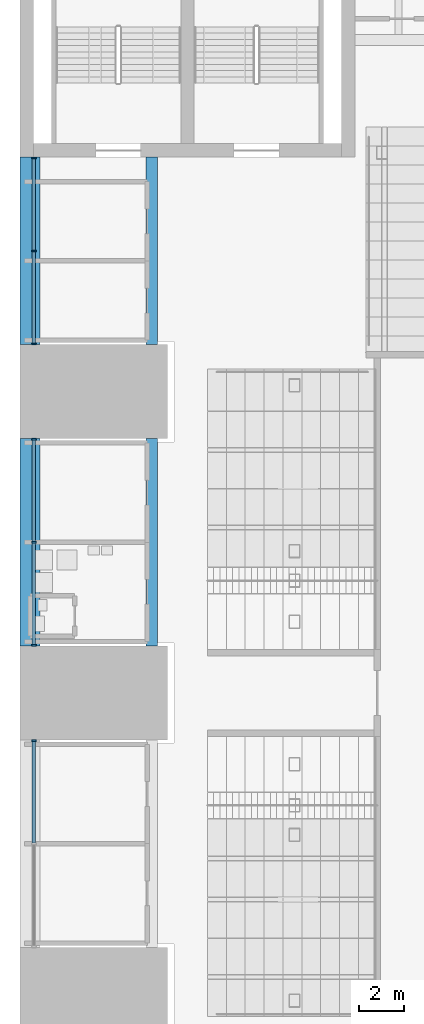
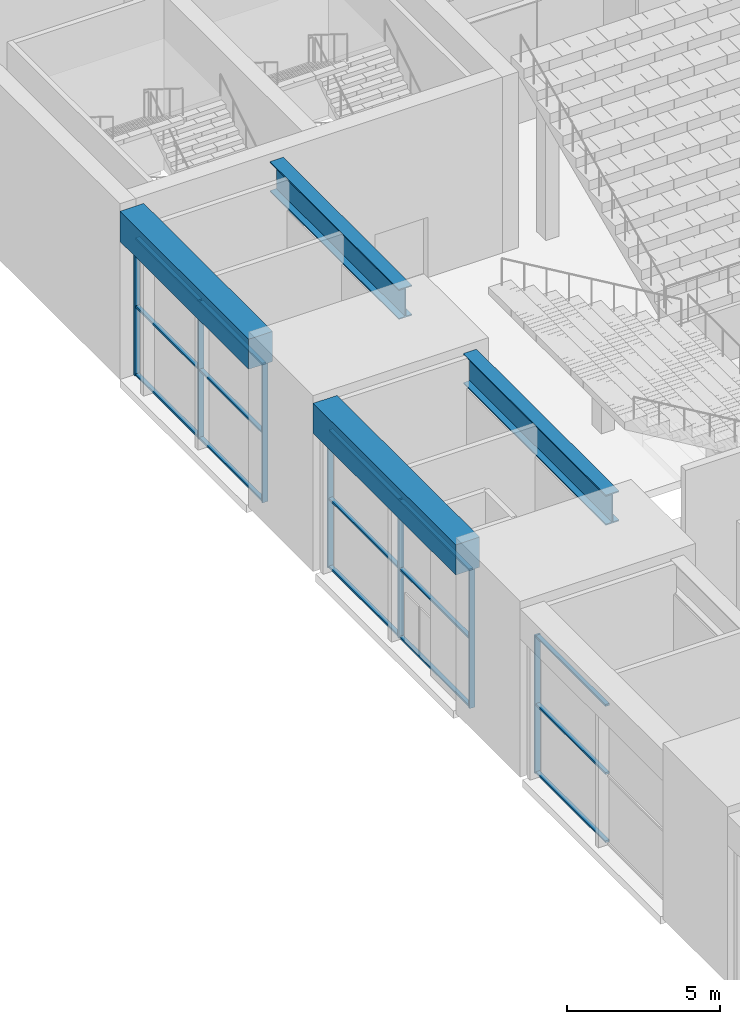
# One storey, part 7 of 62: 22 members, 4 beams, 3 elements without a shape of their own.
"""IFC4 building model written with IfcOpenShell, lengths in metres."""

from ifc_helpers import new_model, si_unit, direction, frame, origin, origin_2d, place, context, subcontext, project, spatial, rectangle, i_section, extrude, material, layer, layer_set, material_profile, profile_set, type_object, element, aggregate, save


model = new_model("IFC4")

# Units and contexts
model_context = context("Model", 3, precision=1e-05, world=origin(), true_north=direction((0.0, 1.0)))
body_context = subcontext(model_context, "Body", "Model", "MODEL_VIEW")
ifc_project = project(units=[si_unit("LENGTHUNIT", "METRE"), si_unit("AREAUNIT", "SQUARE_METRE"), si_unit("VOLUMEUNIT", "CUBIC_METRE"), si_unit("PLANEANGLEUNIT", "RADIAN"), si_unit("MASSUNIT", "GRAM", prefix="KILO")], contexts=[model_context])

# Site, building, storey
site_placement = place(None, origin())
site = spatial("IfcSite", under=ifc_project, at=site_placement, CompositionType="ELEMENT")
building_placement = place(site_placement, origin())
building = spatial("IfcBuilding", under=site, at=building_placement, Name="Corbelhall Arena Tower", CompositionType="ELEMENT")
storey_placement = place(building_placement, frame((0.0, 0.0, 12.0)))
storey = spatial("IfcBuildingStorey", under=building, at=storey_placement, Name="L01", CompositionType="ELEMENT", Elevation=12.0)

# Curtain wall, members
ifc_material_1 = material(Name="Aluminium black anodised", Category="aluminium")
ifc_layer = layer(ifc_material_1, 0.239990234375)
ifc_layer_set = layer_set([ifc_layer], Name="EV-CW4 Arena concourse glazing")
curtain_wall_type = type_object("IfcCurtainWallType", Name="EV-CW4 Arena concourse glazing", PredefinedType="NOTDEFINED", material=ifc_layer_set)
curtain_wall_1_placement = place(storey_placement, origin())
curtain_wall_1 = element("IfcCurtainWall", 1, at=curtain_wall_1_placement, inside=storey, type_object=curtain_wall_type, Name="Curtain wall CW4B", PredefinedType="NOTDEFINED")
ifc_material_profile_1 = material_profile(ifc_material_1, rectangle(XDim=0.199951171875, YDim=0.074951171875, at=origin_2d()))
ifc_profile_set_1 = profile_set([ifc_material_profile_1], Name="Aluminium black anodised")
member_type_1 = type_object("IfcMemberType", Name="EV-CW4-MULLION", PredefinedType="MULLION", material=ifc_profile_set_1)
member_1_placement = place(storey_placement, frame((-47.3798828125, 23.96240234375, 0.0), z_axis=(0.0, 0.0, 1.0), x_axis=(1.0, 0.0, 0.0)))
member_1 = element("IfcMember", 2, at=member_1_placement, type_object=member_type_1, Name="CW4B mullion 1", PredefinedType="MULLION", context=body_context, shape_type="SweptSolid", body=[
    extrude(rectangle(XDim=0.199951171875, YDim=0.074951171875, at=origin_2d()), origin(), (0.0, 0.0, 1.0), 5.5),
])
member_2_placement = place(storey_placement, frame((-47.3798828125, 19.800048828125, 0.0), z_axis=(0.0, 0.0, 1.0), x_axis=(1.0, 0.0, 0.0)))
member_2 = element("IfcMember", 3, at=member_2_placement, type_object=member_type_1, Name="CW4B mullion 2", PredefinedType="MULLION", context=body_context, shape_type="SweptSolid", body=[
    extrude(rectangle(XDim=0.199951171875, YDim=0.074951171875, at=origin_2d()), origin(), (0.0, 0.0, 1.0), 5.5),
])
member_3_placement = place(storey_placement, frame((-47.3798828125, 15.637451171875, 0.0), z_axis=(0.0, 0.0, 1.0), x_axis=(1.0, 0.0, 0.0)))
member_3 = element("IfcMember", 4, at=member_3_placement, type_object=member_type_1, Name="CW4B mullion 3", PredefinedType="MULLION", context=body_context, shape_type="SweptSolid", body=[
    extrude(rectangle(XDim=0.199951171875, YDim=0.074951171875, at=origin_2d()), origin(), (0.0, 0.0, 1.0), 5.5),
])

curtain_wall_2_placement = place(storey_placement, origin())
curtain_wall_2 = element("IfcCurtainWall", 5, at=curtain_wall_2_placement, inside=storey, type_object=curtain_wall_type, Name="Curtain wall CW4", PredefinedType="NOTDEFINED")
member_4_placement = place(storey_placement, frame((-47.3798828125, 11.362548828125, 0.0), z_axis=(0.0, 0.0, 1.0), x_axis=(1.0, 0.0, 0.0)))
member_4 = element("IfcMember", 6, at=member_4_placement, type_object=member_type_1, Name="CW4 mullion 1", PredefinedType="MULLION", context=body_context, shape_type="SweptSolid", body=[
    extrude(rectangle(XDim=0.199951171875, YDim=0.074951171875, at=origin_2d()), origin(), (0.0, 0.0, 1.0), 5.5),
])
member_5_placement = place(storey_placement, frame((-47.3798828125, 6.75, 0.0), z_axis=(0.0, 0.0, 1.0), x_axis=(1.0, 0.0, 0.0)))
member_5 = element("IfcMember", 7, at=member_5_placement, type_object=member_type_1, Name="CW4 mullion 2", PredefinedType="MULLION", context=body_context, shape_type="SweptSolid", body=[
    extrude(rectangle(XDim=0.199951171875, YDim=0.074951171875, at=origin_2d()), origin(), (0.0, 0.0, 1.0), 5.5),
])
member_6_placement = place(storey_placement, frame((-47.3798828125, 2.137451171875, 0.0), z_axis=(0.0, 0.0, 1.0), x_axis=(1.0, 0.0, 0.0)))
member_6 = element("IfcMember", 8, at=member_6_placement, type_object=member_type_1, Name="CW4 mullion 3", PredefinedType="MULLION", context=body_context, shape_type="SweptSolid", body=[
    extrude(rectangle(XDim=0.199951171875, YDim=0.074951171875, at=origin_2d()), origin(), (0.0, 0.0, 1.0), 5.5),
])

# Curtain wall, member
curtain_wall_3_placement = place(storey_placement, origin())
curtain_wall_3 = element("IfcCurtainWall", 9, at=curtain_wall_3_placement, inside=storey, type_object=curtain_wall_type, Name="Curtain wall CW4", PredefinedType="NOTDEFINED")
member_7_placement = place(storey_placement, frame((-47.3798828125, -2.137451171875, 0.0), z_axis=(0.0, 0.0, 1.0), x_axis=(1.0, 0.0, 0.0)))
member_7 = element("IfcMember", 10, at=member_7_placement, type_object=member_type_1, Name="CW4 mullion 1", PredefinedType="MULLION", context=body_context, shape_type="SweptSolid", body=[
    extrude(rectangle(XDim=0.199951171875, YDim=0.074951171875, at=origin_2d()), origin(), (0.0, 0.0, 1.0), 5.5),
])

# Member
ifc_material_profile_2 = material_profile(ifc_material_1, rectangle(XDim=0.14990234375, YDim=0.074951171875, at=origin_2d()))
ifc_profile_set_2 = profile_set([ifc_material_profile_2], Name="Aluminium black anodised")
member_type_2 = type_object("IfcMemberType", Name="EV-CW4-TRANSOM", PredefinedType="USERDEFINED", material=ifc_profile_set_2)
member_8_placement = place(storey_placement, frame((-47.3798828125, 23.925048828125, 0.03759765625), z_axis=(0.0, -1.0, 0.0), x_axis=(1.0, 0.0, 0.0)))
member_8 = element("IfcMember", 11, at=member_8_placement, type_object=member_type_2, Name="CW4B transom 1.1", ObjectType="transom", PredefinedType="USERDEFINED", context=body_context, shape_type="SweptSolid", body=[
    extrude(rectangle(XDim=0.14990234375, YDim=0.074951171875, at=origin_2d()), origin(), (0.0, 0.0, 1.0), 4.087646484375),
])

member_9_placement = place(storey_placement, frame((-47.3798828125, 23.925048828125, 2.75), z_axis=(0.0, -1.0, 0.0), x_axis=(1.0, 0.0, 0.0)))
member_9 = element("IfcMember", 12, at=member_9_placement, type_object=member_type_2, Name="CW4B transom 1.2", ObjectType="transom", PredefinedType="USERDEFINED", context=body_context, shape_type="SweptSolid", body=[
    extrude(rectangle(XDim=0.14990234375, YDim=0.074951171875, at=origin_2d()), origin(), (0.0, 0.0, 1.0), 4.087646484375),
])

member_10_placement = place(storey_placement, frame((-47.3798828125, 23.925048828125, 5.46240234375), z_axis=(0.0, -1.0, 0.0), x_axis=(1.0, 0.0, 0.0)))
member_10 = element("IfcMember", 13, at=member_10_placement, type_object=member_type_2, Name="CW4B transom 1.3", ObjectType="transom", PredefinedType="USERDEFINED", context=body_context, shape_type="SweptSolid", body=[
    extrude(rectangle(XDim=0.14990234375, YDim=0.074951171875, at=origin_2d()), origin(), (0.0, 0.0, 1.0), 4.087646484375),
])

member_11_placement = place(storey_placement, frame((-47.3798828125, 19.762451171875, 0.03759765625), z_axis=(0.0, -1.0, 0.0), x_axis=(1.0, 0.0, 0.0)))
member_11 = element("IfcMember", 14, at=member_11_placement, type_object=member_type_2, Name="CW4B transom 2.1", ObjectType="transom", PredefinedType="USERDEFINED", context=body_context, shape_type="SweptSolid", body=[
    extrude(rectangle(XDim=0.14990234375, YDim=0.074951171875, at=origin_2d()), origin(), (0.0, 0.0, 1.0), 4.08740234375),
])

member_12_placement = place(storey_placement, frame((-47.3798828125, 19.762451171875, 2.75), z_axis=(0.0, -1.0, 0.0), x_axis=(1.0, 0.0, 0.0)))
member_12 = element("IfcMember", 15, at=member_12_placement, type_object=member_type_2, Name="CW4B transom 2.2", ObjectType="transom", PredefinedType="USERDEFINED", context=body_context, shape_type="SweptSolid", body=[
    extrude(rectangle(XDim=0.14990234375, YDim=0.074951171875, at=origin_2d()), origin(), (0.0, 0.0, 1.0), 4.08740234375),
])

member_13_placement = place(storey_placement, frame((-47.3798828125, 19.762451171875, 5.46240234375), z_axis=(0.0, -1.0, 0.0), x_axis=(1.0, 0.0, 0.0)))
member_13 = element("IfcMember", 16, at=member_13_placement, type_object=member_type_2, Name="CW4B transom 2.3", ObjectType="transom", PredefinedType="USERDEFINED", context=body_context, shape_type="SweptSolid", body=[
    extrude(rectangle(XDim=0.14990234375, YDim=0.074951171875, at=origin_2d()), origin(), (0.0, 0.0, 1.0), 4.08740234375),
])

aggregate(curtain_wall_1, [member_1, member_2, member_3, member_8, member_9, member_10, member_11, member_12, member_13])

member_14_placement = place(storey_placement, frame((-47.3798828125, 11.324951171875, 0.03759765625), z_axis=(0.0, -1.0, 0.0), x_axis=(1.0, 0.0, 0.0)))
member_14 = element("IfcMember", 17, at=member_14_placement, type_object=member_type_2, Name="CW4 transom 1.1", ObjectType="transom", PredefinedType="USERDEFINED", context=body_context, shape_type="SweptSolid", body=[
    extrude(rectangle(XDim=0.14990234375, YDim=0.074951171875, at=origin_2d()), origin(), (0.0, 0.0, 1.0), 4.537353515625),
])

member_15_placement = place(storey_placement, frame((-47.3798828125, 11.324951171875, 2.75), z_axis=(0.0, -1.0, 0.0), x_axis=(1.0, 0.0, 0.0)))
member_15 = element("IfcMember", 18, at=member_15_placement, type_object=member_type_2, Name="CW4 transom 1.2", ObjectType="transom", PredefinedType="USERDEFINED", context=body_context, shape_type="SweptSolid", body=[
    extrude(rectangle(XDim=0.14990234375, YDim=0.074951171875, at=origin_2d()), origin(), (0.0, 0.0, 1.0), 4.537353515625),
])

member_16_placement = place(storey_placement, frame((-47.3798828125, 11.324951171875, 5.46240234375), z_axis=(0.0, -1.0, 0.0), x_axis=(1.0, 0.0, 0.0)))
member_16 = element("IfcMember", 19, at=member_16_placement, type_object=member_type_2, Name="CW4 transom 1.3", ObjectType="transom", PredefinedType="USERDEFINED", context=body_context, shape_type="SweptSolid", body=[
    extrude(rectangle(XDim=0.14990234375, YDim=0.074951171875, at=origin_2d()), origin(), (0.0, 0.0, 1.0), 4.537353515625),
])

member_17_placement = place(storey_placement, frame((-47.3798828125, 6.71240234375, 0.03759765625), z_axis=(0.0, -1.0, 0.0), x_axis=(1.0, 0.0, 0.0)))
member_17 = element("IfcMember", 20, at=member_17_placement, type_object=member_type_2, Name="CW4 transom 2.1", ObjectType="transom", PredefinedType="USERDEFINED", context=body_context, shape_type="SweptSolid", body=[
    extrude(rectangle(XDim=0.14990234375, YDim=0.074951171875, at=origin_2d()), origin(), (0.0, 0.0, 1.0), 4.537353515625),
])

member_18_placement = place(storey_placement, frame((-47.3798828125, 6.71240234375, 2.75), z_axis=(0.0, -1.0, 0.0), x_axis=(1.0, 0.0, 0.0)))
member_18 = element("IfcMember", 21, at=member_18_placement, type_object=member_type_2, Name="CW4 transom 2.2", ObjectType="transom", PredefinedType="USERDEFINED", context=body_context, shape_type="SweptSolid", body=[
    extrude(rectangle(XDim=0.14990234375, YDim=0.074951171875, at=origin_2d()), origin(), (0.0, 0.0, 1.0), 4.537353515625),
])

member_19_placement = place(storey_placement, frame((-47.3798828125, 6.71240234375, 5.46240234375), z_axis=(0.0, -1.0, 0.0), x_axis=(1.0, 0.0, 0.0)))
member_19 = element("IfcMember", 22, at=member_19_placement, type_object=member_type_2, Name="CW4 transom 2.3", ObjectType="transom", PredefinedType="USERDEFINED", context=body_context, shape_type="SweptSolid", body=[
    extrude(rectangle(XDim=0.14990234375, YDim=0.074951171875, at=origin_2d()), origin(), (0.0, 0.0, 1.0), 4.537353515625),
])

aggregate(curtain_wall_2, [member_4, member_5, member_6, member_14, member_15, member_16, member_17, member_18, member_19])

member_20_placement = place(storey_placement, frame((-47.3798828125, -2.175048828125, 0.03759765625), z_axis=(0.0, -1.0, 0.0), x_axis=(1.0, 0.0, 0.0)))
member_20 = element("IfcMember", 23, at=member_20_placement, type_object=member_type_2, Name="CW4 transom 1.1", ObjectType="transom", PredefinedType="USERDEFINED", context=body_context, shape_type="SweptSolid", body=[
    extrude(rectangle(XDim=0.14990234375, YDim=0.074951171875, at=origin_2d()), origin(), (0.0, 0.0, 1.0), 4.537353515625),
])

member_21_placement = place(storey_placement, frame((-47.3798828125, -2.175048828125, 2.75), z_axis=(0.0, -1.0, 0.0), x_axis=(1.0, 0.0, 0.0)))
member_21 = element("IfcMember", 24, at=member_21_placement, type_object=member_type_2, Name="CW4 transom 1.2", ObjectType="transom", PredefinedType="USERDEFINED", context=body_context, shape_type="SweptSolid", body=[
    extrude(rectangle(XDim=0.14990234375, YDim=0.074951171875, at=origin_2d()), origin(), (0.0, 0.0, 1.0), 4.537353515625),
])

member_22_placement = place(storey_placement, frame((-47.3798828125, -2.175048828125, 5.46240234375), z_axis=(0.0, -1.0, 0.0), x_axis=(1.0, 0.0, 0.0)))
member_22 = element("IfcMember", 25, at=member_22_placement, type_object=member_type_2, Name="CW4 transom 1.3", ObjectType="transom", PredefinedType="USERDEFINED", context=body_context, shape_type="SweptSolid", body=[
    extrude(rectangle(XDim=0.14990234375, YDim=0.074951171875, at=origin_2d()), origin(), (0.0, 0.0, 1.0), 4.537353515625),
])

aggregate(curtain_wall_3, [member_7, member_20, member_21, member_22])

# Beams
ifc_material_2 = material(Name="Steel ASTM A572 Gr50", Category="steel")
ifc_material_profile_3 = material_profile(ifc_material_2, i_section(OverallWidth=0.5, OverallDepth=1.199951171875, WebThickness=0.02490234375, FlangeThickness=0.044921875, at=origin_2d()))
ifc_profile_set_3 = profile_set([ifc_material_profile_3], Name="Steel ASTM A572 Gr50")
beam_type_1 = type_object("IfcBeamType", Name="PO-GIRDER-PG1200X500X25X45", PredefinedType="BEAM", material=ifc_profile_set_3)
beam_1_placement = place(storey_placement, frame((-42.10009765625, 2.10009765625, 6.10009765625), z_axis=(0.0, 1.0, 0.0), x_axis=(-1.0, 0.0, 0.0)))
element("IfcBeam", 26, at=beam_1_placement, inside=storey, type_object=beam_type_1, Name="INNER END GIRDER", PredefinedType="BEAM", context=body_context, shape_type="SweptSolid", body=[
    extrude(i_section(OverallWidth=0.5, OverallDepth=1.199951171875, WebThickness=0.02490234375, FlangeThickness=0.044921875, at=origin_2d()), origin(), (0.0, 0.0, 1.0), 9.2998046875),
])
beam_2_placement = place(storey_placement, frame((-42.10009765625, 15.60009765625, 6.10009765625), z_axis=(0.0, 1.0, 0.0), x_axis=(-1.0, 0.0, 0.0)))
element("IfcBeam", 27, at=beam_2_placement, inside=storey, type_object=beam_type_1, Name="INNER END GIRDER", PredefinedType="BEAM", context=body_context, shape_type="SweptSolid", body=[
    extrude(i_section(OverallWidth=0.5, OverallDepth=1.199951171875, WebThickness=0.02490234375, FlangeThickness=0.044921875, at=origin_2d()), origin(), (0.0, 0.0, 1.0), 8.39990234375),
])
ifc_material_3 = material(Name="Concrete C80/95", Category="concrete")
ifc_material_profile_4 = material_profile(ifc_material_3, rectangle(XDim=0.89990234375, YDim=1.199951171875, at=origin_2d()))
ifc_profile_set_4 = profile_set([ifc_material_profile_4], Name="Concrete C80/95")
beam_type_2 = type_object("IfcBeamType", Name="PO-RING-BEAM", PredefinedType="BEAM", material=ifc_profile_set_4)
beam_3_placement = place(storey_placement, frame((-47.550048828125, 2.10009765625, 6.10009765625), z_axis=(0.0, 1.0, 0.0), x_axis=(-1.0, 0.0, 0.0)))
element("IfcBeam", 28, at=beam_3_placement, inside=storey, type_object=beam_type_2, Name="RING GIRDER L02 W3", PredefinedType="BEAM", context=body_context, shape_type="SweptSolid", body=[
    extrude(rectangle(XDim=0.89990234375, YDim=1.199951171875, at=origin_2d()), origin(), (0.0, 0.0, 1.0), 9.2998046875),
])
beam_4_placement = place(storey_placement, frame((-47.550048828125, 15.60009765625, 6.10009765625), z_axis=(0.0, 1.0, 0.0), x_axis=(-1.0, 0.0, 0.0)))
element("IfcBeam", 29, at=beam_4_placement, inside=storey, type_object=beam_type_2, Name="RING GIRDER L02 W4", PredefinedType="BEAM", context=body_context, shape_type="SweptSolid", body=[
    extrude(rectangle(XDim=0.89990234375, YDim=1.199951171875, at=origin_2d()), origin(), (0.0, 0.0, 1.0), 8.39990234375),
])

save(model, "model.ifc")
